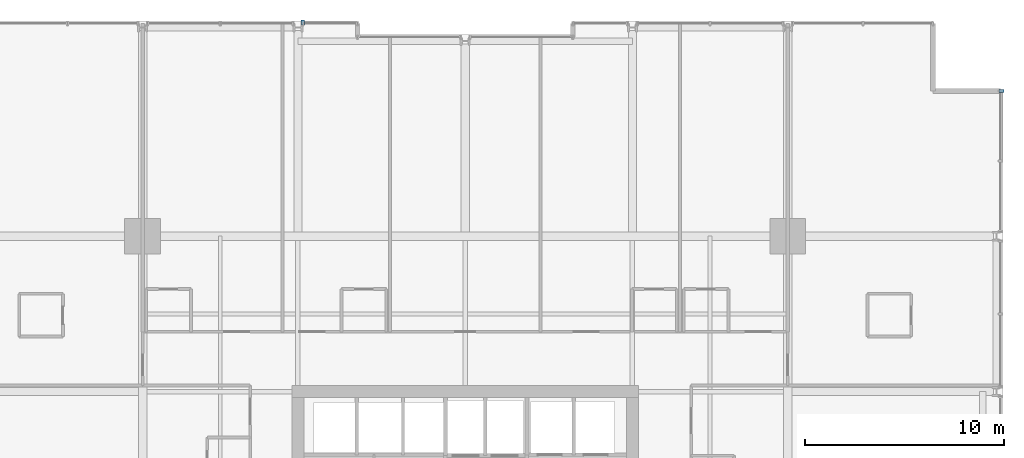
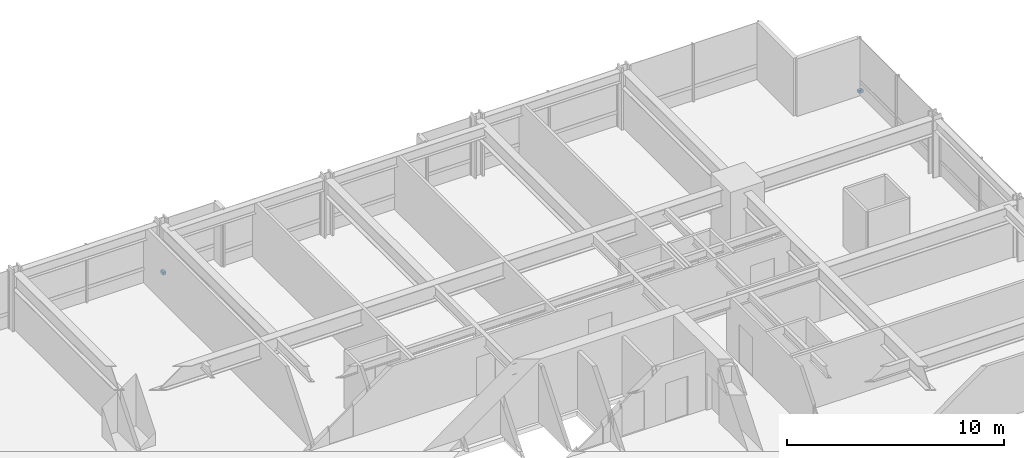
# One storey, part 35 of 39: 2 discrete accessories.
"""IFC4 building model written with IfcOpenShell, lengths in metres."""

from ifc_helpers import new_model, si_unit, direction, frame, origin, origin_2d, place, context, subcontext, project, spatial, rectangle, extrude, material, type_object, element, save


model = new_model("IFC4")

# Units and contexts
model_context = context("Model", 3, precision=1e-05, world=origin(), true_north=direction((0.0, 1.0)))
body_context = subcontext(model_context, "Body", "Model", "MODEL_VIEW")
ifc_project = project(units=[si_unit("LENGTHUNIT", "METRE"), si_unit("AREAUNIT", "SQUARE_METRE"), si_unit("VOLUMEUNIT", "CUBIC_METRE"), si_unit("PLANEANGLEUNIT", "RADIAN"), si_unit("MASSUNIT", "GRAM", prefix="KILO")], contexts=[model_context])

# Site, building, storey
site_placement = place(None, origin())
site = spatial("IfcSite", under=ifc_project, at=site_placement, CompositionType="ELEMENT")
building_placement = place(site_placement, origin())
building = spatial("IfcBuilding", under=site, at=building_placement, Name="Drelvath Grand Hotel", CompositionType="ELEMENT")
storey_placement = place(building_placement, frame((0.0, 0.0, 54.199951171875)))
storey = spatial("IfcBuildingStorey", under=building, at=storey_placement, Name="L12", CompositionType="ELEMENT", Elevation=54.199951171875)

# Discrete accessories
ifc_material = material(Name="Stainless Steel Grade 316", Category="steel")
discrete_accessory_type = type_object("IfcDiscreteAccessoryType", Name="Curtain Wall Fin Mounting Bracket Cleat", PredefinedType="BRACKET", material=ifc_material)
for number, where, z_axis, x_axis, name in (
    (1, (26.93994140625, 50.5, 0.10009765625), (0.0, 0.0, 1.0), (0.0, -1.0, 0.0), "L12 Fin Mounting Bracket CW02-L12-EN3-1"),
    (2, (-8.1591796875, 53.93994140625, 0.10009765625), (0.0, 0.0, 1.0), (1.0, 0.0, 0.0), "L12 Fin Mounting Bracket CW02-L12-NW3-1"),
):
    element("IfcDiscreteAccessory", number, at=place(storey_placement, frame(where, z_axis=z_axis, x_axis=x_axis)), inside=storey, type_object=discrete_accessory_type, Name=name, PredefinedType="BRACKET", context=body_context, shape_type="SweptSolid", body=[
        extrude(rectangle(XDim=0.159912109375, YDim=0.239990234375, at=origin_2d()), origin(), (0.0, 0.0, 1.0), 0.159912109375),
    ])

save(model, "model.ifc")
